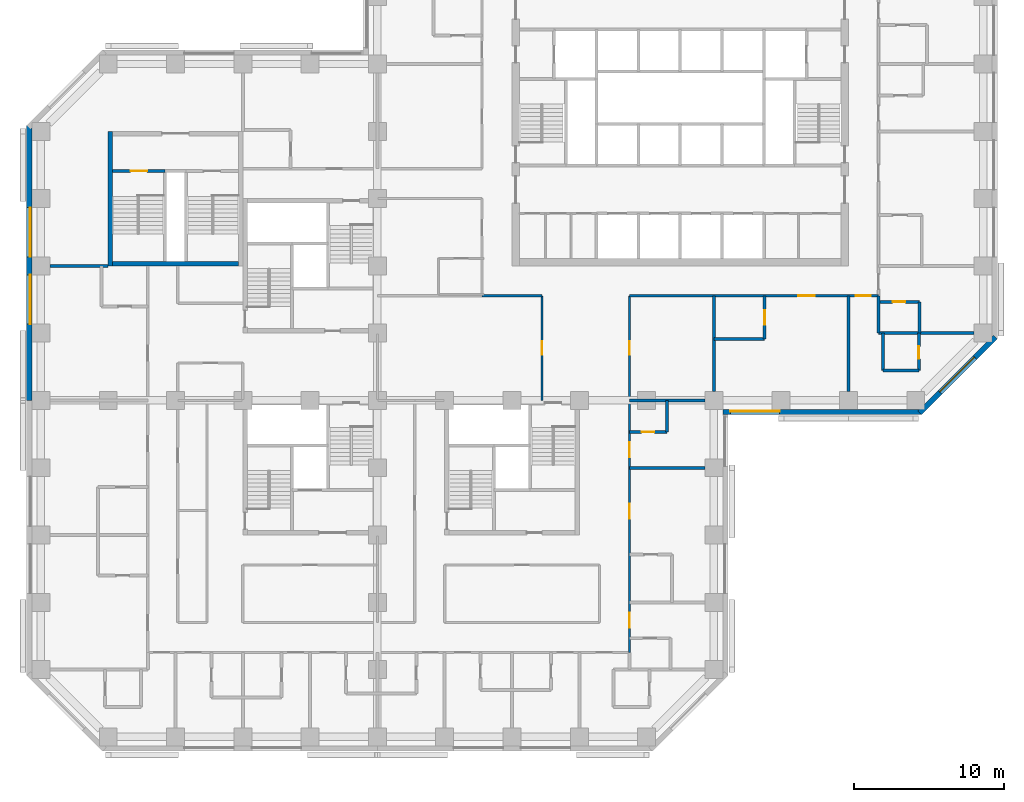
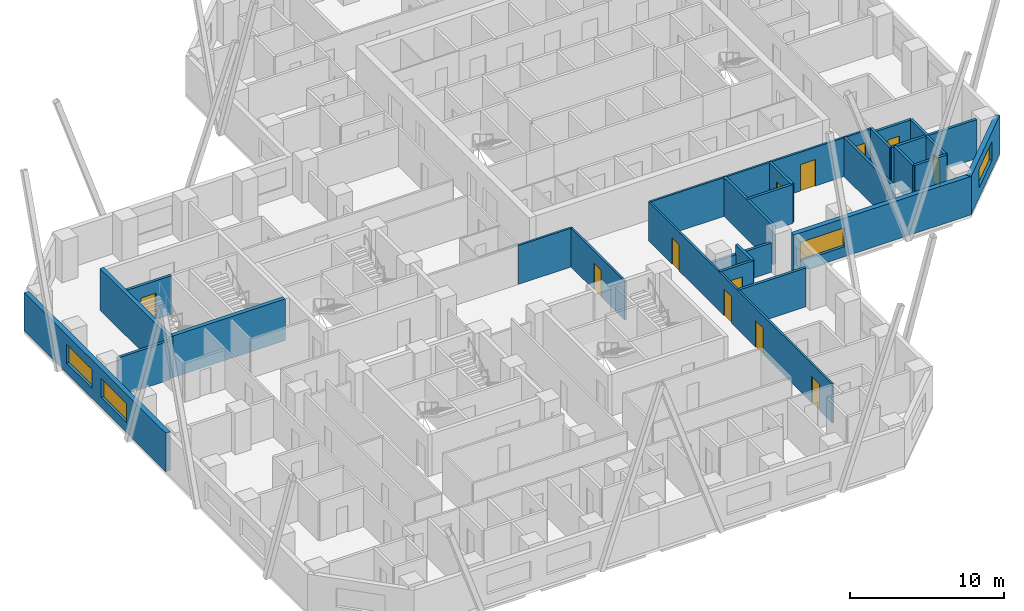
# One storey, part 6 of 13: 26 walls, 12 doors, 4 windows, 16 openings.
"""IFC4 building model written with IfcOpenShell, lengths in metres."""

from ifc_helpers import new_model, si_unit, direction, frame, frame_2d, origin, place, context, subcontext, project, spatial, rectangle, extrude, material, layer, layer_set, constituent, constituent_set, type_object, element, fill, save


model = new_model("IFC4")

# Units and contexts
model_context = context("Model", 3, precision=1e-05, world=origin(), true_north=direction((0.0, 1.0)))
body_context = subcontext(model_context, "Body", "Model", "MODEL_VIEW")
ifc_project = project(units=[si_unit("LENGTHUNIT", "METRE"), si_unit("AREAUNIT", "SQUARE_METRE"), si_unit("VOLUMEUNIT", "CUBIC_METRE"), si_unit("PLANEANGLEUNIT", "RADIAN"), si_unit("MASSUNIT", "GRAM", prefix="KILO")], contexts=[model_context])

# Site, building, storey
site_placement = place(None, origin())
site = spatial("IfcSite", under=ifc_project, at=site_placement, CompositionType="ELEMENT")
building_placement = place(site_placement, origin())
building = spatial("IfcBuilding", under=site, at=building_placement, Name="Quoin Convention Tower", CompositionType="ELEMENT")
storey_placement = place(building_placement, frame((0.0, 0.0, 52.800048828125)))
storey = spatial("IfcBuildingStorey", under=building, at=storey_placement, Name="L13", CompositionType="ELEMENT", Elevation=52.800048828125)

# Wall, opening, window
ifc_material_1 = material(Name="Brick masonry", Category="masonry")
ifc_layer_1 = layer(ifc_material_1, 0.35009765625)
ifc_layer_set_1 = layer_set([ifc_layer_1], Name="Brick masonry")
wall_type_1 = type_object("IfcWallType", Name="Brick facade wall", PredefinedType="STANDARD", material=ifc_layer_set_1)
wall_1_placement = place(storey_placement, frame((59.10009765625, 39.72509765625, 0.0), z_axis=(0.0, 0.0, 1.0), x_axis=(1.0, 0.0, 0.0)))
wall_1 = element("IfcWall", 1, at=wall_1_placement, inside=storey, type_object=wall_type_1, Name="fw-L13-58500_40500", PredefinedType="STANDARD", context=body_context, shape_type="SweptSolid", body=[
    extrude(rectangle(XDim=13.29345703125, YDim=0.35009765625, at=frame_2d((6.646728515625, 0.0))), origin(), (0.0, 0.0, 1.0), 3.054931640625),
])
opening_1_placement = place(wall_1_placement, frame((0.5, 0.0, 0.800048828125)))
opening_1 = element("IfcOpeningElement", 2, at=opening_1_placement, cuts=wall_1, Name="Opening W-01", PredefinedType="OPENING", context=body_context, shape_type="SweptSolid", body=[
    extrude(rectangle(XDim=3.300048828125, YDim=1.5, at=frame_2d((1.64990234375, 0.75))), frame((0.0, 0.18505859375, 0.0), z_axis=(0.0, -1.0, 0.0), x_axis=(1.0, 0.0, 0.0)), (0.0, 0.0, 1.0), 0.3701171875),
])
ifc_material_2 = material(Name="Aluminium", Category="aluminium")
ifc_constituent_1 = constituent(ifc_material_2, Name="Frame")
ifc_material_3 = material(Name="Insulated glass", Category="glass")
ifc_constituent_2 = constituent(ifc_material_3, Name="Glazing")
ifc_constituent_set = constituent_set(constituents=[ifc_constituent_1, ifc_constituent_2], Name="Aluminium")
window_type = type_object("IfcWindowType", Name="Hotel strip window", PartitioningType="DOUBLE_PANEL_VERTICAL", PredefinedType="WINDOW", material=ifc_constituent_set)
window_1_placement = place(opening_1_placement, origin())
window_1 = element("IfcWindow", 3, at=window_1_placement, inside=storey, type_object=window_type, Name="win-L13-60750_39725", OverallHeight=1.5, OverallWidth=3.300048828125, PartitioningType="SINGLE_PANEL", PredefinedType="WINDOW", context=body_context, shape_type="SweptSolid", body=[
    extrude(rectangle(XDim=3.300048828125, YDim=1.5, at=frame_2d((1.64990234375, 0.75))), frame((0.0, 0.0849609375, 0.0), z_axis=(0.0, -1.0, 0.0), x_axis=(1.0, 0.0, 0.0)), (0.0, 0.0, 1.0), 0.06005859375),
])
fill(opening_1, window_1)

wall_2_placement = place(storey_placement, frame((72.269775390625, 39.673583984375, 0.0), z_axis=(0.0, 0.0, 1.0), x_axis=(0.707106781187, 0.707106781187, 0.0)))
wall_2 = element("IfcWall", 4, at=wall_2_placement, inside=storey, type_object=wall_type_1, Name="fw-L13-72000_40500", PredefinedType="STANDARD", context=body_context, shape_type="SweptSolid", body=[
    extrude(rectangle(XDim=7.151123046875, YDim=0.35009765625, at=frame_2d((3.57568359375, 0.0))), origin(), (0.0, 0.0, 1.0), 3.054931640625),
])
opening_2_placement = place(wall_2_placement, frame((1.925537109375, 0.0, 0.800048828125)))
opening_2 = element("IfcOpeningElement", 5, at=opening_2_placement, cuts=wall_2, Name="Opening W-01", PredefinedType="OPENING", context=body_context, shape_type="SweptSolid", body=[
    extrude(rectangle(XDim=3.300048828125, YDim=1.5, at=frame_2d((1.64990234375, 0.75))), frame((0.0, 0.18505859375, 0.0), z_axis=(0.0, -1.0, 0.0), x_axis=(1.0, 0.0, 0.0)), (0.0, 0.0, 1.0), 0.3701171875),
])
window_2_placement = place(opening_2_placement, origin())
window_2 = element("IfcWindow", 6, at=window_2_placement, inside=storey, type_object=window_type, Name="win-L13-74798_42202", OverallHeight=1.5, OverallWidth=3.300048828125, PartitioningType="SINGLE_PANEL", PredefinedType="WINDOW", context=body_context, shape_type="SweptSolid", body=[
    extrude(rectangle(XDim=3.300048828125, YDim=1.5, at=frame_2d((1.64990234375, 0.75))), frame((0.0, 0.0849609375, 0.0), z_axis=(0.0, -1.0, 0.0), x_axis=(1.0, 0.0, 0.0)), (0.0, 0.0, 1.0), 0.06005859375),
])
fill(opening_2, window_2)

# Wall, openings, windows
wall_3_placement = place(storey_placement, frame((12.72509765625, 58.8935546875, 0.0), z_axis=(0.0, 0.0, 1.0), x_axis=(0.0, -1.0, 0.0)))
wall_3 = element("IfcWall", 7, at=wall_3_placement, inside=storey, type_object=wall_type_1, Name="fw-L13-13500_58500", PredefinedType="STANDARD", context=body_context, shape_type="SweptSolid", body=[
    extrude(rectangle(XDim=18.3935546875, YDim=0.35009765625, at=frame_2d((9.19677734375, 0.0))), origin(), (0.0, 0.0, 1.0), 3.054931640625),
])
opening_3_placement = place(wall_3_placement, frame((5.493408203125, 0.0, 0.800048828125)))
opening_3 = element("IfcOpeningElement", 8, at=opening_3_placement, cuts=wall_3, Name="Opening W-01", PredefinedType="OPENING", context=body_context, shape_type="SweptSolid", body=[
    extrude(rectangle(XDim=3.300048828125, YDim=1.5, at=frame_2d((1.64990234375, 0.75))), frame((0.0, 0.18505859375, 0.0), z_axis=(0.0, -1.0, 0.0), x_axis=(1.0, 0.0, 0.0)), (0.0, 0.0, 1.0), 0.3701171875),
])
opening_4_placement = place(wall_3_placement, frame((9.993408203125, 0.0, 0.800048828125)))
opening_4 = element("IfcOpeningElement", 9, at=opening_4_placement, cuts=wall_3, Name="Opening W-01", PredefinedType="OPENING", context=body_context, shape_type="SweptSolid", body=[
    extrude(rectangle(XDim=3.300048828125, YDim=1.5, at=frame_2d((1.64990234375, 0.75))), frame((0.0, 0.18505859375, 0.0), z_axis=(0.0, -1.0, 0.0), x_axis=(1.0, 0.0, 0.0)), (0.0, 0.0, 1.0), 0.3701171875),
])
window_3_placement = place(opening_3_placement, origin())
window_3 = element("IfcWindow", 10, at=window_3_placement, inside=storey, type_object=window_type, Name="win-L13-12725_51750", OverallHeight=1.5, OverallWidth=3.300048828125, PartitioningType="SINGLE_PANEL", PredefinedType="WINDOW", context=body_context, shape_type="SweptSolid", body=[
    extrude(rectangle(XDim=3.300048828125, YDim=1.5, at=frame_2d((1.64990234375, 0.75))), frame((0.0, 0.0849609375, 0.0), z_axis=(0.0, -1.0, 0.0), x_axis=(1.0, 0.0, 0.0)), (0.0, 0.0, 1.0), 0.06005859375),
])
fill(opening_3, window_3)
window_4_placement = place(opening_4_placement, origin())
window_4 = element("IfcWindow", 11, at=window_4_placement, inside=storey, type_object=window_type, Name="win-L13-12725_47250", OverallHeight=1.5, OverallWidth=3.300048828125, PartitioningType="SINGLE_PANEL", PredefinedType="WINDOW", context=body_context, shape_type="SweptSolid", body=[
    extrude(rectangle(XDim=3.300048828125, YDim=1.5, at=frame_2d((1.64990234375, 0.75))), frame((0.0, 0.0849609375, 0.0), z_axis=(0.0, -1.0, 0.0), x_axis=(1.0, 0.0, 0.0)), (0.0, 0.0, 1.0), 0.06005859375),
])
fill(opening_4, window_4)

# Wall, opening, door
ifc_material_4 = material(Name="Concrete C50", Category="concrete")
ifc_layer_2 = layer(ifc_material_4, 0.199951171875)
ifc_layer_set_2 = layer_set([ifc_layer_2], Name="Concrete C50")
wall_type_2 = type_object("IfcWallType", Name="Core shaft wall", PredefinedType="SOLIDWALL", material=ifc_layer_set_2)
wall_4_placement = place(storey_placement, frame((18.300048828125, 55.85009765625, 0.0), z_axis=(0.0, 0.0, 1.0), x_axis=(1.0, 0.0, 0.0)))
wall_4 = element("IfcWall", 12, at=wall_4_placement, inside=storey, type_object=wall_type_2, Name="cr-P6-L13-h6350_300", PredefinedType="SOLIDWALL", context=body_context, shape_type="SweptSolid", body=[
    extrude(rectangle(XDim=3.5, YDim=0.199951171875, at=frame_2d((1.75, 0.0))), origin(), (0.0, 0.0, 1.0), 3.079833984375),
])
opening_5_placement = place(wall_4_placement, frame((1.199951171875, 0.0, 0.0)))
opening_5 = element("IfcOpeningElement", 13, at=opening_5_placement, cuts=wall_4, Name="Opening SD11", PredefinedType="OPENING", context=body_context, shape_type="SweptSolid", body=[
    extrude(rectangle(XDim=1.10009765625, YDim=2.10009765625, at=frame_2d((0.550048828125, 1.050048828125))), frame((0.0, 0.10986328125, 0.0), z_axis=(0.0, -1.0, 0.0), x_axis=(1.0, 0.0, 0.0)), (0.0, 0.0, 1.0), 0.219970703125),
])
ifc_material_5 = material(Name="Steel door leaf", Category="steel")
door_type_1 = type_object("IfcDoorType", Name="Stair door 1100 x 2100", OperationType="SINGLE_SWING_RIGHT", PredefinedType="DOOR", material=ifc_material_5)
door_1_placement = place(opening_5_placement, origin())
door_1 = element("IfcDoor", 14, at=door_1_placement, inside=storey, type_object=door_type_1, Name="cd-P6-L13-SA-R2-SD11", OperationType="SINGLE_SWING_RIGHT", OverallHeight=2.10009765625, OverallWidth=1.10009765625, PredefinedType="DOOR", context=body_context, shape_type="SweptSolid", body=[
    extrude(rectangle(XDim=1.10009765625, YDim=2.10009765625, at=frame_2d((0.550048828125, 1.050048828125))), frame((0.0, 0.02490234375, 0.0), z_axis=(0.0, -1.0, 0.0), x_axis=(1.0, 0.0, 0.0)), (0.0, 0.0, 1.0), 0.050048828125),
])
fill(opening_5, door_1)

# Walls
ifc_material_6 = material(Name="Concrete C80", Category="concrete")
ifc_layer_3 = layer(ifc_material_6, 0.300048828125)
ifc_layer_set_3 = layer_set([ifc_layer_3], Name="Concrete C80")
wall_type_3 = type_object("IfcWallType", Name="RC CORE WALL 300 C80", PredefinedType="SHEAR", material=ifc_layer_set_3)
wall_5_placement = place(storey_placement, frame((18.300048828125, 49.64990234375, 0.0), z_axis=(0.0, 0.0, 1.0), x_axis=(1.0, 0.0, 0.0)))
element("IfcWall", 15, at=wall_5_placement, inside=storey, type_object=wall_type_3, Name="cwl-P6-L13-S", PredefinedType="SHEAR", context=body_context, shape_type="SweptSolid", body=[
    extrude(rectangle(XDim=8.39990234375, YDim=0.300048828125, at=frame_2d((4.199951171875, 0.0))), origin(), (0.0, 0.0, 1.0), 3.300048828125),
])
wall_6_placement = place(storey_placement, frame((18.14990234375, 49.5, 0.0), z_axis=(0.0, 0.0, 1.0), x_axis=(0.0, 1.0, 0.0)))
element("IfcWall", 16, at=wall_6_placement, inside=storey, type_object=wall_type_3, Name="cwl-P6-L13-W", PredefinedType="SHEAR", context=body_context, shape_type="SweptSolid", body=[
    extrude(rectangle(XDim=9.0, YDim=0.300048828125, at=frame_2d((4.5, 0.0))), origin(), (0.0, 0.0, 1.0), 3.300048828125),
])
ifc_layer_4 = layer(ifc_material_4, 0.199951171875)
ifc_layer_set_4 = layer_set([ifc_layer_4], Name="Concrete C50")
wall_type_4 = type_object("IfcWallType", Name="RC party wall", PredefinedType="SOLIDWALL", material=ifc_layer_set_4)
wall_7_placement = place(storey_placement, frame((52.85009765625, 36.0, 0.0), z_axis=(0.0, 0.0, 1.0), x_axis=(1.0, 0.0, 0.0)))
element("IfcWall", 17, at=wall_7_placement, inside=storey, type_object=wall_type_4, Name="pw-L13-072", PredefinedType="SOLIDWALL", context=body_context, shape_type="SweptSolid", body=[
    extrude(rectangle(XDim=5.0498046875, YDim=0.199951171875, at=frame_2d((2.52490234375, 0.0))), origin(), (0.0, 0.0, 1.0), 3.079833984375),
])

# Wall, opening, door
wall_8_placement = place(storey_placement, frame((52.85009765625, 38.39990234375, 0.0), z_axis=(0.0, 0.0, 1.0), x_axis=(1.0, 0.0, 0.0)))
wall_8 = element("IfcWall", 18, at=wall_8_placement, inside=storey, type_object=wall_type_4, Name="pw-L13-073", PredefinedType="SOLIDWALL", context=body_context, shape_type="SweptSolid", body=[
    extrude(rectangle(XDim=2.5, YDim=0.199951171875, at=frame_2d((1.25, 0.0))), origin(), (0.0, 0.0, 1.0), 3.079833984375),
])
opening_6_placement = place(wall_8_placement, frame((0.824951171875, 0.0, 0.0)))
opening_6 = element("IfcOpeningElement", 19, at=opening_6_placement, cuts=wall_8, Name="Opening DHOTEL-B-54", PredefinedType="OPENING", context=body_context, shape_type="SweptSolid", body=[
    extrude(rectangle(XDim=0.85009765625, YDim=2.10009765625, at=frame_2d((0.425048828125, 1.050048828125))), frame((0.0, 0.10986328125, 0.0), z_axis=(0.0, -1.0, 0.0), x_axis=(1.0, 0.0, 0.0)), (0.0, 0.0, 1.0), 0.219970703125),
])
door_type_2 = type_object("IfcDoorType", Name="Bathroom door", OperationType="SINGLE_SWING_LEFT", PredefinedType="DOOR", material=ifc_material_5)
door_2_placement = place(opening_6_placement, origin())
door_2 = element("IfcDoor", 20, at=door_2_placement, inside=storey, type_object=door_type_2, Name="dr-L13-026", OperationType="SINGLE_SWING_LEFT", OverallHeight=2.10009765625, OverallWidth=0.85009765625, PredefinedType="DOOR", context=body_context, shape_type="SweptSolid", body=[
    extrude(rectangle(XDim=0.85009765625, YDim=2.10009765625, at=frame_2d((0.425048828125, 1.050048828125))), frame((0.0, 0.02490234375, 0.0), z_axis=(0.0, -1.0, 0.0), x_axis=(1.0, 0.0, 0.0)), (0.0, 0.0, 1.0), 0.050048828125),
])
fill(opening_6, door_2)

# Walls
wall_9_placement = place(storey_placement, frame((55.35009765625, 38.39990234375, 0.0), z_axis=(0.0, 0.0, 1.0), x_axis=(0.0, 1.0, 0.0)))
element("IfcWall", 21, at=wall_9_placement, inside=storey, type_object=wall_type_4, Name="pw-L13-074", PredefinedType="SOLIDWALL", context=body_context, shape_type="SweptSolid", body=[
    extrude(rectangle(XDim=2.10009765625, YDim=0.199951171875, at=frame_2d((1.050048828125, 0.0))), origin(), (0.0, 0.0, 1.0), 3.079833984375),
])
wall_10_placement = place(storey_placement, frame((67.5, 41.10009765625, 0.0), z_axis=(0.0, 0.0, 1.0), x_axis=(0.0, 1.0, 0.0)))
element("IfcWall", 22, at=wall_10_placement, inside=storey, type_object=wall_type_4, Name="pw-L13-076", PredefinedType="SOLIDWALL", context=body_context, shape_type="SweptSolid", body=[
    extrude(rectangle(XDim=6.39990234375, YDim=0.199951171875, at=frame_2d((3.199951171875, 0.0))), origin(), (0.0, 0.0, 1.0), 3.079833984375),
])
wall_11_placement = place(storey_placement, frame((69.800048828125, 42.5, 0.0), z_axis=(0.0, 0.0, 1.0), x_axis=(1.0, 0.0, 0.0)))
element("IfcWall", 23, at=wall_11_placement, inside=storey, type_object=wall_type_4, Name="pw-L13-077", PredefinedType="SOLIDWALL", context=body_context, shape_type="SweptSolid", body=[
    extrude(rectangle(XDim=2.39990234375, YDim=0.199951171875, at=frame_2d((1.199951171875, 0.0))), origin(), (0.0, 0.0, 1.0), 3.079833984375),
])
wall_12_placement = place(storey_placement, frame((69.800048828125, 42.5, 0.0), z_axis=(0.0, 0.0, 1.0), x_axis=(0.0, 1.0, 0.0)))
element("IfcWall", 24, at=wall_12_placement, inside=storey, type_object=wall_type_4, Name="pw-L13-078", PredefinedType="SOLIDWALL", context=body_context, shape_type="SweptSolid", body=[
    extrude(rectangle(XDim=2.5, YDim=0.199951171875, at=frame_2d((1.25, 0.0))), origin(), (0.0, 0.0, 1.0), 3.079833984375),
])

# Wall, opening, door
wall_13_placement = place(storey_placement, frame((72.199951171875, 42.5, 0.0), z_axis=(0.0, 0.0, 1.0), x_axis=(0.0, 1.0, 0.0)))
wall_13 = element("IfcWall", 25, at=wall_13_placement, inside=storey, type_object=wall_type_4, Name="pw-L13-079", PredefinedType="SOLIDWALL", context=body_context, shape_type="SweptSolid", body=[
    extrude(rectangle(XDim=2.5, YDim=0.199951171875, at=frame_2d((1.25, 0.0))), origin(), (0.0, 0.0, 1.0), 3.079833984375),
])
opening_7_placement = place(wall_13_placement, frame((0.77490234375, 0.0, 0.0)))
opening_7 = element("IfcOpeningElement", 26, at=opening_7_placement, cuts=wall_13, Name="Opening DHOTEL-B-55", PredefinedType="OPENING", context=body_context, shape_type="SweptSolid", body=[
    extrude(rectangle(XDim=0.85009765625, YDim=2.10009765625, at=frame_2d((0.425048828125, 1.050048828125))), frame((0.0, 0.10986328125, 0.0), z_axis=(0.0, -1.0, 0.0), x_axis=(1.0, 0.0, 0.0)), (0.0, 0.0, 1.0), 0.219970703125),
])
door_3_placement = place(opening_7_placement, frame((0.85009765625, 0.0, 0.0), z_axis=(0.0, 0.0, 1.0), x_axis=(-1.0, 0.0, 0.0)))
door_3 = element("IfcDoor", 27, at=door_3_placement, inside=storey, type_object=door_type_2, Name="dr-L13-068", OperationType="SINGLE_SWING_LEFT", OverallHeight=2.10009765625, OverallWidth=0.85009765625, PredefinedType="DOOR", context=body_context, shape_type="SweptSolid", body=[
    extrude(rectangle(XDim=0.85009765625, YDim=2.10009765625, at=frame_2d((0.425048828125, 1.050048828125))), frame((0.0, 0.02490234375, 0.0), z_axis=(0.0, -1.0, 0.0), x_axis=(1.0, 0.0, 0.0)), (0.0, 0.0, 1.0), 0.050048828125),
])
fill(opening_7, door_3)

# Wall
wall_14_placement = place(storey_placement, frame((58.5, 44.60009765625, 0.0), z_axis=(0.0, 0.0, 1.0), x_axis=(1.0, 0.0, 0.0)))
element("IfcWall", 28, at=wall_14_placement, inside=storey, type_object=wall_type_4, Name="pw-L13-080", PredefinedType="SOLIDWALL", context=body_context, shape_type="SweptSolid", body=[
    extrude(rectangle(XDim=3.39990234375, YDim=0.199951171875, at=frame_2d((1.699951171875, 0.0))), origin(), (0.0, 0.0, 1.0), 3.079833984375),
])

# Wall, opening, door
wall_15_placement = place(storey_placement, frame((61.89990234375, 44.60009765625, 0.0), z_axis=(0.0, 0.0, 1.0), x_axis=(0.0, 1.0, 0.0)))
wall_15 = element("IfcWall", 29, at=wall_15_placement, inside=storey, type_object=wall_type_4, Name="pw-L13-081", PredefinedType="SOLIDWALL", context=body_context, shape_type="SweptSolid", body=[
    extrude(rectangle(XDim=2.89990234375, YDim=0.199951171875, at=frame_2d((1.449951171875, 0.0))), origin(), (0.0, 0.0, 1.0), 3.079833984375),
])
opening_8_placement = place(wall_15_placement, frame((0.97509765625, 0.0, 0.0)))
opening_8 = element("IfcOpeningElement", 30, at=opening_8_placement, cuts=wall_15, Name="Opening DHOTEL-B-56", PredefinedType="OPENING", context=body_context, shape_type="SweptSolid", body=[
    extrude(rectangle(XDim=0.949951171875, YDim=2.10009765625, at=frame_2d((0.47509765625, 1.050048828125))), frame((0.0, 0.10986328125, 0.0), z_axis=(0.0, -1.0, 0.0), x_axis=(1.0, 0.0, 0.0)), (0.0, 0.0, 1.0), 0.219970703125),
])
door_type_3 = type_object("IfcDoorType", Name="Accessible bathroom door", OperationType="SINGLE_SWING_LEFT", PredefinedType="DOOR", material=ifc_material_5)
door_4_placement = place(opening_8_placement, frame((0.949951171875, 0.0, 0.0), z_axis=(0.0, 0.0, 1.0), x_axis=(-1.0, 0.0, 0.0)))
door_4 = element("IfcDoor", 31, at=door_4_placement, inside=storey, type_object=door_type_3, Name="dr-L13-056", OperationType="SINGLE_SWING_LEFT", OverallHeight=2.10009765625, OverallWidth=0.949951171875, PredefinedType="DOOR", context=body_context, shape_type="SweptSolid", body=[
    extrude(rectangle(XDim=0.949951171875, YDim=2.10009765625, at=frame_2d((0.47509765625, 1.050048828125))), frame((0.0, 0.02490234375, 0.0), z_axis=(0.0, -1.0, 0.0), x_axis=(1.0, 0.0, 0.0)), (0.0, 0.0, 1.0), 0.050048828125),
])
fill(opening_8, door_4)

# Walls
wall_16_placement = place(storey_placement, frame((69.5, 45.0, 0.0), z_axis=(0.0, 0.0, 1.0), x_axis=(1.0, 0.0, 0.0)))
element("IfcWall", 32, at=wall_16_placement, inside=storey, type_object=wall_type_4, Name="pw-L13-082", PredefinedType="SOLIDWALL", context=body_context, shape_type="SweptSolid", body=[
    extrude(rectangle(XDim=6.39990234375, YDim=0.199951171875, at=frame_2d((3.199951171875, 0.0))), origin(), (0.0, 0.0, 1.0), 3.079833984375),
])
wall_17_placement = place(storey_placement, frame((69.5, 45.0, 0.0), z_axis=(0.0, 0.0, 1.0), x_axis=(0.0, 1.0, 0.0)))
element("IfcWall", 33, at=wall_17_placement, inside=storey, type_object=wall_type_4, Name="pw-L13-083", PredefinedType="SOLIDWALL", context=body_context, shape_type="SweptSolid", body=[
    extrude(rectangle(XDim=2.5, YDim=0.199951171875, at=frame_2d((1.25, 0.0))), origin(), (0.0, 0.0, 1.0), 3.079833984375),
])
wall_18_placement = place(storey_placement, frame((72.25, 45.0, 0.0), z_axis=(0.0, 0.0, 1.0), x_axis=(0.0, 1.0, 0.0)))
element("IfcWall", 34, at=wall_18_placement, inside=storey, type_object=wall_type_4, Name="pw-L13-084", PredefinedType="SOLIDWALL", context=body_context, shape_type="SweptSolid", body=[
    extrude(rectangle(XDim=2.10009765625, YDim=0.199951171875, at=frame_2d((1.050048828125, 0.0))), origin(), (0.0, 0.0, 1.0), 3.079833984375),
])

# Wall, opening, door
wall_19_placement = place(storey_placement, frame((69.5, 47.10009765625, 0.0), z_axis=(0.0, 0.0, 1.0), x_axis=(1.0, 0.0, 0.0)))
wall_19 = element("IfcWall", 35, at=wall_19_placement, inside=storey, type_object=wall_type_4, Name="pw-L13-087", PredefinedType="SOLIDWALL", context=body_context, shape_type="SweptSolid", body=[
    extrude(rectangle(XDim=2.75, YDim=0.199951171875, at=frame_2d((1.375, 0.0))), origin(), (0.0, 0.0, 1.0), 3.079833984375),
])
opening_9_placement = place(wall_19_placement, frame((0.949951171875, 0.0, 0.0)))
opening_9 = element("IfcOpeningElement", 36, at=opening_9_placement, cuts=wall_19, Name="Opening DHOTEL-B-58", PredefinedType="OPENING", context=body_context, shape_type="SweptSolid", body=[
    extrude(rectangle(XDim=0.85009765625, YDim=2.10009765625, at=frame_2d((0.425048828125, 1.050048828125))), frame((0.0, 0.10986328125, 0.0), z_axis=(0.0, -1.0, 0.0), x_axis=(1.0, 0.0, 0.0)), (0.0, 0.0, 1.0), 0.219970703125),
])
door_5_placement = place(opening_9_placement, origin())
door_5 = element("IfcDoor", 37, at=door_5_placement, inside=storey, type_object=door_type_2, Name="dr-L13-054", OperationType="SINGLE_SWING_RIGHT", OverallHeight=2.10009765625, OverallWidth=0.85009765625, PredefinedType="DOOR", context=body_context, shape_type="SweptSolid", body=[
    extrude(rectangle(XDim=0.85009765625, YDim=2.10009765625, at=frame_2d((0.425048828125, 1.050048828125))), frame((0.0, 0.02490234375, 0.0), z_axis=(0.0, -1.0, 0.0), x_axis=(1.0, 0.0, 0.0)), (0.0, 0.0, 1.0), 0.050048828125),
])
fill(opening_9, door_5)

# Wall
wall_20_placement = place(storey_placement, frame((14.10009765625, 49.5, 0.0), z_axis=(0.0, 0.0, 1.0), x_axis=(1.0, 0.0, 0.0)))
element("IfcWall", 38, at=wall_20_placement, inside=storey, type_object=wall_type_4, Name="pw-L13-088", PredefinedType="SOLIDWALL", context=body_context, shape_type="SweptSolid", body=[
    extrude(rectangle(XDim=3.89990234375, YDim=0.199951171875, at=frame_2d((1.949951171875, 0.0))), origin(), (0.0, 0.0, 1.0), 3.079833984375),
])

# Wall, openings, doors
ifc_material_7 = material(Name="Plasterboard")
ifc_layer_5 = layer(ifc_material_7, 0.012451171875, Name="Finish")
ifc_material_8 = material(Name="Steel stud framing", Category="steel")
ifc_layer_6 = layer(ifc_material_8, 0.125, Name="Structure")
ifc_layer_7 = layer(ifc_material_7, 0.012451171875, Name="Finish")
ifc_layer_set_5 = layer_set([ifc_layer_5, ifc_layer_6, ifc_layer_7], Name="Steel stud framing")
wall_type_5 = type_object("IfcWallType", Name="corridor partition", PredefinedType="PARTITIONING", material=ifc_layer_set_5)
wall_21_placement = place(storey_placement, frame((52.85009765625, 23.64990234375, 0.0), z_axis=(0.0, 0.0, 1.0), x_axis=(0.0, 1.0, 0.0)))
wall_21 = element("IfcWall", 39, at=wall_21_placement, inside=storey, type_object=wall_type_5, Name="pw-L13-007", PredefinedType="PARTITIONING", context=body_context, shape_type="SweptSolid", body=[
    extrude(rectangle(XDim=23.85009765625, YDim=0.14990234375, at=frame_2d((11.925048828125, 0.0))), origin(), (0.0, 0.0, 1.0), 3.079833984375),
])
opening_10_placement = place(wall_21_placement, frame((1.64990234375, 0.0, 0.0)))
opening_10 = element("IfcOpeningElement", 40, at=opening_10_placement, cuts=wall_21, Name="Opening DHOTEL-B-12", PredefinedType="OPENING", context=body_context, shape_type="SweptSolid", body=[
    extrude(rectangle(XDim=1.0, YDim=2.10009765625, at=frame_2d((0.5, 1.050048828125))), frame((0.0, 0.0849609375, 0.0), z_axis=(0.0, -1.0, 0.0), x_axis=(1.0, 0.0, 0.0)), (0.0, 0.0, 1.0), 0.169921875),
])
opening_11_placement = place(wall_21_placement, frame((8.949951171875, 0.0, 0.0)))
opening_11 = element("IfcOpeningElement", 41, at=opening_11_placement, cuts=wall_21, Name="Opening DHOTEL-B-13", PredefinedType="OPENING", context=body_context, shape_type="SweptSolid", body=[
    extrude(rectangle(XDim=1.0, YDim=2.10009765625, at=frame_2d((0.5, 1.050048828125))), frame((0.0, 0.0849609375, 0.0), z_axis=(0.0, -1.0, 0.0), x_axis=(1.0, 0.0, 0.0)), (0.0, 0.0, 1.0), 0.169921875),
])
opening_12_placement = place(wall_21_placement, frame((13.050048828125, 0.0, 0.0)))
opening_12 = element("IfcOpeningElement", 42, at=opening_12_placement, cuts=wall_21, Name="Opening DHOTEL-B-14", PredefinedType="OPENING", context=body_context, shape_type="SweptSolid", body=[
    extrude(rectangle(XDim=1.0, YDim=2.10009765625, at=frame_2d((0.5, 1.050048828125))), frame((0.0, 0.0849609375, 0.0), z_axis=(0.0, -1.0, 0.0), x_axis=(1.0, 0.0, 0.0)), (0.0, 0.0, 1.0), 0.169921875),
])
opening_13_placement = place(wall_21_placement, frame((19.89990234375, 0.0, 0.0)))
opening_13 = element("IfcOpeningElement", 43, at=opening_13_placement, cuts=wall_21, Name="Opening DHOTEL-B-15", PredefinedType="OPENING", context=body_context, shape_type="SweptSolid", body=[
    extrude(rectangle(XDim=0.89990234375, YDim=2.10009765625, at=frame_2d((0.449951171875, 1.050048828125))), frame((0.0, 0.0849609375, 0.0), z_axis=(0.0, -1.0, 0.0), x_axis=(1.0, 0.0, 0.0)), (0.0, 0.0, 1.0), 0.169921875),
])
door_type_4 = type_object("IfcDoorType", Name="Hotel room door", OperationType="SINGLE_SWING_LEFT", PredefinedType="DOOR", material=ifc_material_5)
door_6_placement = place(opening_10_placement, frame((1.0, 0.0, 0.0), z_axis=(0.0, 0.0, 1.0), x_axis=(-1.0, 0.0, 0.0)))
door_6 = element("IfcDoor", 44, at=door_6_placement, inside=storey, type_object=door_type_4, Name="dr-L13-021", OperationType="SINGLE_SWING_LEFT", OverallHeight=2.10009765625, OverallWidth=1.0, PredefinedType="DOOR", context=body_context, shape_type="SweptSolid", body=[
    extrude(rectangle(XDim=1.0, YDim=2.10009765625, at=frame_2d((0.5, 1.050048828125))), frame((0.0, 0.02490234375, 0.0), z_axis=(0.0, -1.0, 0.0), x_axis=(1.0, 0.0, 0.0)), (0.0, 0.0, 1.0), 0.050048828125),
])
fill(opening_10, door_6)
door_7_placement = place(opening_11_placement, frame((1.0, 0.0, 0.0), z_axis=(0.0, 0.0, 1.0), x_axis=(-1.0, 0.0, 0.0)))
door_7 = element("IfcDoor", 45, at=door_7_placement, inside=storey, type_object=door_type_4, Name="dr-L13-023", OperationType="SINGLE_SWING_LEFT", OverallHeight=2.10009765625, OverallWidth=1.0, PredefinedType="DOOR", context=body_context, shape_type="SweptSolid", body=[
    extrude(rectangle(XDim=1.0, YDim=2.10009765625, at=frame_2d((0.5, 1.050048828125))), frame((0.0, 0.02490234375, 0.0), z_axis=(0.0, -1.0, 0.0), x_axis=(1.0, 0.0, 0.0)), (0.0, 0.0, 1.0), 0.050048828125),
])
fill(opening_11, door_7)
door_8_placement = place(opening_12_placement, frame((1.0, 0.0, 0.0), z_axis=(0.0, 0.0, 1.0), x_axis=(-1.0, 0.0, 0.0)))
door_8 = element("IfcDoor", 46, at=door_8_placement, inside=storey, type_object=door_type_4, Name="dr-L13-025", OperationType="SINGLE_SWING_LEFT", OverallHeight=2.10009765625, OverallWidth=1.0, PredefinedType="DOOR", context=body_context, shape_type="SweptSolid", body=[
    extrude(rectangle(XDim=1.0, YDim=2.10009765625, at=frame_2d((0.5, 1.050048828125))), frame((0.0, 0.02490234375, 0.0), z_axis=(0.0, -1.0, 0.0), x_axis=(1.0, 0.0, 0.0)), (0.0, 0.0, 1.0), 0.050048828125),
])
fill(opening_12, door_8)
door_type_5 = type_object("IfcDoorType", Name="Service room door", OperationType="SINGLE_SWING_LEFT", PredefinedType="DOOR", material=ifc_material_5)
door_9_placement = place(opening_13_placement, frame((0.89990234375, 0.0, 0.0), z_axis=(0.0, 0.0, 1.0), x_axis=(-1.0, 0.0, 0.0)))
door_9 = element("IfcDoor", 47, at=door_9_placement, inside=storey, type_object=door_type_5, Name="dr-L13-077", OperationType="SINGLE_SWING_LEFT", OverallHeight=2.10009765625, OverallWidth=0.89990234375, PredefinedType="DOOR", context=body_context, shape_type="SweptSolid", body=[
    extrude(rectangle(XDim=0.89990234375, YDim=2.10009765625, at=frame_2d((0.449951171875, 1.050048828125))), frame((0.0, 0.02490234375, 0.0), z_axis=(0.0, -1.0, 0.0), x_axis=(1.0, 0.0, 0.0)), (0.0, 0.0, 1.0), 0.050048828125),
])
fill(opening_13, door_9)

# Wall, opening, door
wall_22_placement = place(storey_placement, frame((47.0, 40.5, 0.0), z_axis=(0.0, 0.0, 1.0), x_axis=(0.0, 1.0, 0.0)))
wall_22 = element("IfcWall", 48, at=wall_22_placement, inside=storey, type_object=wall_type_5, Name="pw-L13-024", PredefinedType="PARTITIONING", context=body_context, shape_type="SweptSolid", body=[
    extrude(rectangle(XDim=7.0, YDim=0.14990234375, at=frame_2d((3.5, 0.0))), origin(), (0.0, 0.0, 1.0), 3.079833984375),
])
opening_14_placement = place(wall_22_placement, frame((3.050048828125, 0.0, 0.0)))
opening_14 = element("IfcOpeningElement", 49, at=opening_14_placement, cuts=wall_22, Name="Opening DHOTEL-B-21", PredefinedType="OPENING", context=body_context, shape_type="SweptSolid", body=[
    extrude(rectangle(XDim=0.89990234375, YDim=2.10009765625, at=frame_2d((0.449951171875, 1.050048828125))), frame((0.0, 0.0849609375, 0.0), z_axis=(0.0, -1.0, 0.0), x_axis=(1.0, 0.0, 0.0)), (0.0, 0.0, 1.0), 0.169921875),
])
door_type_6 = type_object("IfcDoorType", Name="Single room door", OperationType="SINGLE_SWING_RIGHT", PredefinedType="DOOR", material=ifc_material_5)
door_10_placement = place(opening_14_placement, origin())
door_10 = element("IfcDoor", 50, at=door_10_placement, inside=storey, type_object=door_type_6, Name="dr-L13-076", OperationType="SINGLE_SWING_RIGHT", OverallHeight=2.10009765625, OverallWidth=0.89990234375, PredefinedType="DOOR", context=body_context, shape_type="SweptSolid", body=[
    extrude(rectangle(XDim=0.89990234375, YDim=2.10009765625, at=frame_2d((0.449951171875, 1.050048828125))), frame((0.0, 0.02490234375, 0.0), z_axis=(0.0, -1.0, 0.0), x_axis=(1.0, 0.0, 0.0)), (0.0, 0.0, 1.0), 0.050048828125),
])
fill(opening_14, door_10)

# Wall
wall_23_placement = place(storey_placement, frame((43.0, 47.5, 0.0), z_axis=(0.0, 0.0, 1.0), x_axis=(1.0, 0.0, 0.0)))
element("IfcWall", 51, at=wall_23_placement, inside=storey, type_object=wall_type_5, Name="pw-L13-028", PredefinedType="PARTITIONING", context=body_context, shape_type="SweptSolid", body=[
    extrude(rectangle(XDim=4.0, YDim=0.14990234375, at=frame_2d((2.0, 0.0))), origin(), (0.0, 0.0, 1.0), 3.079833984375),
])

# Wall, openings, doors
wall_24_placement = place(storey_placement, frame((52.85009765625, 47.5, 0.0), z_axis=(0.0, 0.0, 1.0), x_axis=(1.0, 0.0, 0.0)))
wall_24 = element("IfcWall", 52, at=wall_24_placement, inside=storey, type_object=wall_type_5, Name="pw-L13-030", PredefinedType="PARTITIONING", context=body_context, shape_type="SweptSolid", body=[
    extrude(rectangle(XDim=16.64990234375, YDim=0.14990234375, at=frame_2d((8.324951171875, 0.0))), origin(), (0.0, 0.0, 1.0), 3.079833984375),
])
opening_15_placement = place(wall_24_placement, frame((11.300048828125, 0.0, 0.0)))
opening_15 = element("IfcOpeningElement", 53, at=opening_15_placement, cuts=wall_24, Name="Opening DHOTEL-B-24", PredefinedType="OPENING", context=body_context, shape_type="SweptSolid", body=[
    extrude(rectangle(XDim=1.10009765625, YDim=2.10009765625, at=frame_2d((0.550048828125, 1.050048828125))), frame((0.0, 0.0849609375, 0.0), z_axis=(0.0, -1.0, 0.0), x_axis=(1.0, 0.0, 0.0)), (0.0, 0.0, 1.0), 0.169921875),
])
opening_16_placement = place(wall_24_placement, frame((15.14990234375, 0.0, 0.0)))
opening_16 = element("IfcOpeningElement", 54, at=opening_16_placement, cuts=wall_24, Name="Opening DHOTEL-B-25", PredefinedType="OPENING", context=body_context, shape_type="SweptSolid", body=[
    extrude(rectangle(XDim=1.0, YDim=2.10009765625, at=frame_2d((0.5, 1.050048828125))), frame((0.0, 0.0849609375, 0.0), z_axis=(0.0, -1.0, 0.0), x_axis=(1.0, 0.0, 0.0)), (0.0, 0.0, 1.0), 0.169921875),
])
door_type_7 = type_object("IfcDoorType", Name="Accessible room door", OperationType="SINGLE_SWING_LEFT", PredefinedType="DOOR", material=ifc_material_5)
door_11_placement = place(opening_15_placement, frame((1.10009765625, 0.0, 0.0), z_axis=(0.0, 0.0, 1.0), x_axis=(-1.0, 0.0, 0.0)))
door_11 = element("IfcDoor", 55, at=door_11_placement, inside=storey, type_object=door_type_7, Name="dr-L13-055", OperationType="SINGLE_SWING_LEFT", OverallHeight=2.10009765625, OverallWidth=1.10009765625, PredefinedType="DOOR", context=body_context, shape_type="SweptSolid", body=[
    extrude(rectangle(XDim=1.10009765625, YDim=2.10009765625, at=frame_2d((0.550048828125, 1.050048828125))), frame((0.0, 0.02490234375, 0.0), z_axis=(0.0, -1.0, 0.0), x_axis=(1.0, 0.0, 0.0)), (0.0, 0.0, 1.0), 0.050048828125),
])
fill(opening_15, door_11)
door_12_placement = place(opening_16_placement, frame((1.0, 0.0, 0.0), z_axis=(0.0, 0.0, 1.0), x_axis=(-1.0, 0.0, 0.0)))
door_12 = element("IfcDoor", 56, at=door_12_placement, inside=storey, type_object=door_type_4, Name="dr-L13-067", OperationType="SINGLE_SWING_LEFT", OverallHeight=2.10009765625, OverallWidth=1.0, PredefinedType="DOOR", context=body_context, shape_type="SweptSolid", body=[
    extrude(rectangle(XDim=1.0, YDim=2.10009765625, at=frame_2d((0.5, 1.050048828125))), frame((0.0, 0.02490234375, 0.0), z_axis=(0.0, -1.0, 0.0), x_axis=(1.0, 0.0, 0.0)), (0.0, 0.0, 1.0), 0.050048828125),
])
fill(opening_16, door_12)

# Walls
ifc_layer_8 = layer(ifc_material_7, 0.012451171875, Name="Finish")
ifc_layer_9 = layer(ifc_material_8, 0.175048828125, Name="Structure")
ifc_layer_10 = layer(ifc_material_7, 0.012451171875, Name="Finish")
ifc_layer_set_6 = layer_set([ifc_layer_8, ifc_layer_9, ifc_layer_10], Name="Steel stud framing")
wall_type_6 = type_object("IfcWallType", Name="guest room compartment wall", PredefinedType="PARTITIONING", material=ifc_layer_set_6)
wall_25_placement = place(storey_placement, frame((58.5, 41.10009765625, 0.0), z_axis=(0.0, 0.0, 1.0), x_axis=(0.0, 1.0, 0.0)))
element("IfcWall", 57, at=wall_25_placement, inside=storey, type_object=wall_type_6, Name="pw-L13-002", PredefinedType="PARTITIONING", context=body_context, shape_type="SweptSolid", body=[
    extrude(rectangle(XDim=6.39990234375, YDim=0.199951171875, at=frame_2d((3.199951171875, 0.0))), origin(), (0.0, 0.0, 1.0), 3.079833984375),
])
ifc_layer_11 = layer(ifc_material_7, 0.012451171875, Name="Finish")
ifc_layer_12 = layer(ifc_material_8, 0.175048828125, Name="Structure")
ifc_layer_13 = layer(ifc_material_7, 0.012451171875, Name="Finish")
ifc_layer_set_7 = layer_set([ifc_layer_11, ifc_layer_12, ifc_layer_13], Name="Steel stud framing")
wall_type_7 = type_object("IfcWallType", Name="guest room compartment wall under beam 750", PredefinedType="PARTITIONING", material=ifc_layer_set_7)
wall_26_placement = place(storey_placement, frame((52.85009765625, 40.5, 0.0), z_axis=(0.0, 0.0, 1.0), x_axis=(1.0, 0.0, 0.0)))
element("IfcWall", 58, at=wall_26_placement, inside=storey, type_object=wall_type_7, Name="pw-L13-001", PredefinedType="PARTITIONING", context=body_context, shape_type="SweptSolid", body=[
    extrude(rectangle(XDim=5.0498046875, YDim=0.199951171875, at=frame_2d((2.52490234375, 0.0))), origin(), (0.0, 0.0, 1.0), 2.329833984375),
])

save(model, "model.ifc")
